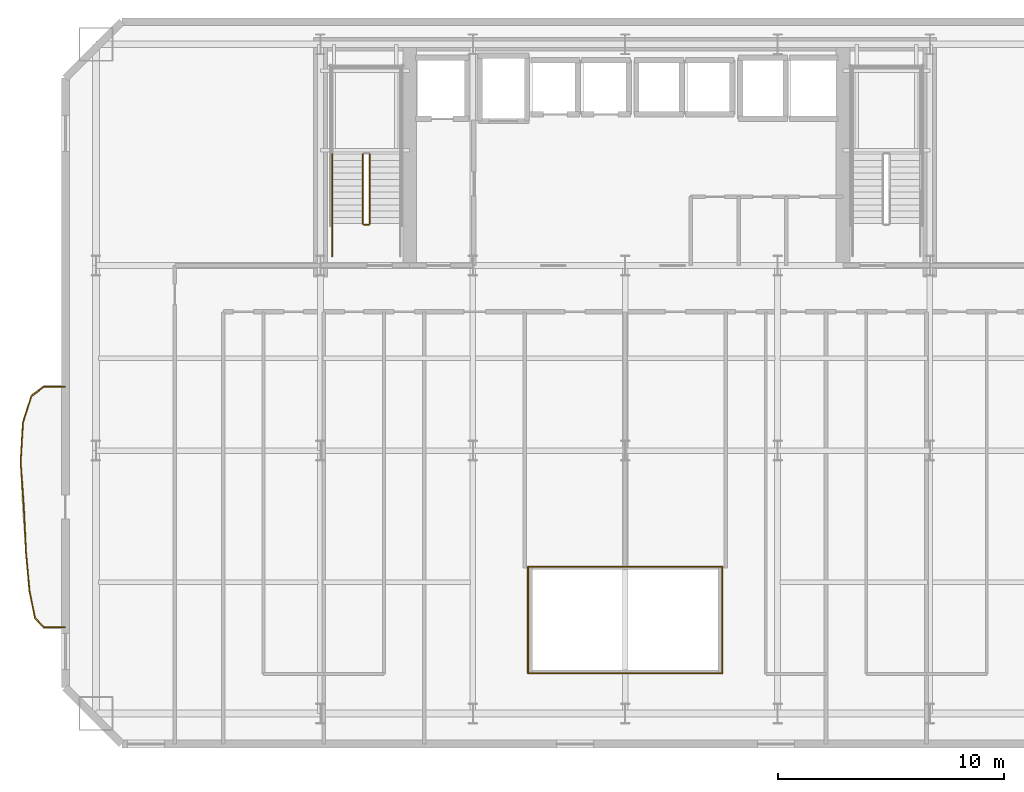
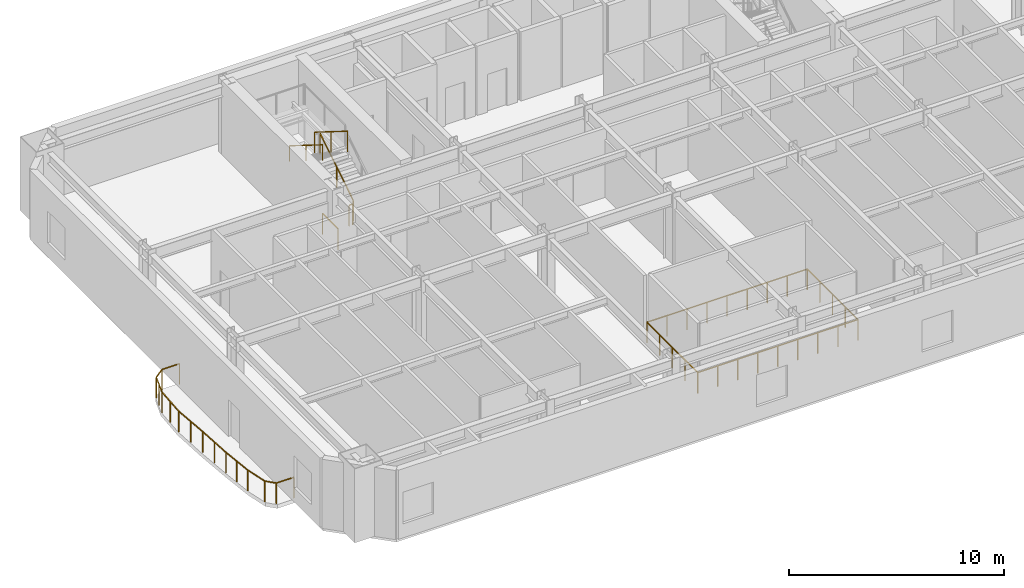
# One storey, part 11 of 15: 19 railings.
"""IFC4 building model written with IfcOpenShell, lengths in metres."""

from ifc_helpers import new_model, si_unit, direction, frame, origin, origin_2d, place, context, subcontext, project, spatial, rectangle, extrude, material, type_object, element, save


model = new_model("IFC4")

# Units and contexts
model_context = context("Model", 3, precision=1e-05, world=origin(), true_north=direction((0.0, 1.0)))
body_context = subcontext(model_context, "Body", "Model", "MODEL_VIEW")
ifc_project = project(units=[si_unit("LENGTHUNIT", "METRE"), si_unit("AREAUNIT", "SQUARE_METRE"), si_unit("VOLUMEUNIT", "CUBIC_METRE"), si_unit("PLANEANGLEUNIT", "RADIAN"), si_unit("MASSUNIT", "GRAM", prefix="KILO")], contexts=[model_context])

# Site, building, storey
site_placement = place(None, origin())
site = spatial("IfcSite", under=ifc_project, at=site_placement, CompositionType="ELEMENT")
building_placement = place(site_placement, origin())
building = spatial("IfcBuilding", under=site, at=building_placement, Name="Haevon Station Towers", CompositionType="ELEMENT")
storey_placement = place(building_placement, frame((0.0, 0.0, 73.5)))
storey = spatial("IfcBuildingStorey", under=building, at=storey_placement, Name="L19", CompositionType="ELEMENT", Elevation=73.5)

# Railings
ifc_material = material(Name="Steel S355", Category="steel")
railing_type_1 = type_object("IfcRailingType", Name="BAL-ATR1200", PredefinedType="BALUSTRADE", material=ifc_material)
railing_1_placement = place(storey_placement, frame((33.19482421875, 20.142333984375, 0.0)))
element("IfcRailing", 1, at=railing_1_placement, inside=storey, type_object=railing_type_1, Name="L19 Atrium Void Balustrade 1", PredefinedType="BALUSTRADE", context=body_context, shape_type="SweptSolid", body=[
    extrude(rectangle(XDim=0.048095703125, YDim=0.048095703125, at=origin_2d()), frame((0.0, 0.0, 1.17578125), z_axis=(1.0, 0.0, 0.0), x_axis=(0.0, 1.0, 0.0)), (0.0, 0.0, 1.0), 8.6103515625),
    extrude(rectangle(XDim=0.0419921875, YDim=0.0419921875, at=origin_2d()), origin(), (0.0, 0.0, 1.0), 1.15185546875),
    extrude(rectangle(XDim=0.0419921875, YDim=0.0419921875, at=origin_2d()), frame((1.076171875, 0.0, 0.0)), (0.0, 0.0, 1.0), 1.15185546875),
    extrude(rectangle(XDim=0.0419921875, YDim=0.0419921875, at=origin_2d()), frame((2.152587890625, 0.0, 0.0)), (0.0, 0.0, 1.0), 1.15185546875),
    extrude(rectangle(XDim=0.0419921875, YDim=0.0419921875, at=origin_2d()), frame((3.22900390625, 0.0, 0.0)), (0.0, 0.0, 1.0), 1.15185546875),
    extrude(rectangle(XDim=0.0419921875, YDim=0.0419921875, at=origin_2d()), frame((4.30517578125, 0.0, 0.0)), (0.0, 0.0, 1.0), 1.15185546875),
    extrude(rectangle(XDim=0.0419921875, YDim=0.0419921875, at=origin_2d()), frame((5.38134765625, 0.0, 0.0)), (0.0, 0.0, 1.0), 1.15185546875),
    extrude(rectangle(XDim=0.0419921875, YDim=0.0419921875, at=origin_2d()), frame((6.457763671875, 0.0, 0.0)), (0.0, 0.0, 1.0), 1.15185546875),
    extrude(rectangle(XDim=0.0419921875, YDim=0.0419921875, at=origin_2d()), frame((7.5341796875, 0.0, 0.0)), (0.0, 0.0, 1.0), 1.15185546875),
    extrude(rectangle(XDim=0.0419921875, YDim=0.0419921875, at=origin_2d()), frame((8.6103515625, 0.0, 0.0)), (0.0, 0.0, 1.0), 1.15185546875),
])
railing_2_placement = place(storey_placement, frame((41.80517578125, 20.142333984375, 0.0)))
element("IfcRailing", 2, at=railing_2_placement, inside=storey, type_object=railing_type_1, Name="L19 Atrium Void Balustrade 2", PredefinedType="BALUSTRADE", context=body_context, shape_type="SweptSolid", body=[
    extrude(rectangle(XDim=0.048095703125, YDim=0.048095703125, at=origin_2d()), frame((0.0, 0.0, 1.17578125), z_axis=(0.0, 1.0, 0.0), x_axis=(-1.0, 0.0, 0.0)), (0.0, 0.0, 1.0), 4.71533203125),
    extrude(rectangle(XDim=0.0419921875, YDim=0.0419921875, at=origin_2d()), origin(), (0.0, 0.0, 1.0), 1.15185546875),
    extrude(rectangle(XDim=0.0419921875, YDim=0.0419921875, at=origin_2d()), frame((0.0, 1.1787109375, 0.0)), (0.0, 0.0, 1.0), 1.15185546875),
    extrude(rectangle(XDim=0.0419921875, YDim=0.0419921875, at=origin_2d()), frame((0.0, 2.357666015625, 0.0)), (0.0, 0.0, 1.0), 1.15185546875),
    extrude(rectangle(XDim=0.0419921875, YDim=0.0419921875, at=origin_2d()), frame((0.0, 3.53662109375, 0.0)), (0.0, 0.0, 1.0), 1.15185546875),
    extrude(rectangle(XDim=0.0419921875, YDim=0.0419921875, at=origin_2d()), frame((0.0, 4.71533203125, 0.0)), (0.0, 0.0, 1.0), 1.15185546875),
])
railing_3_placement = place(storey_placement, frame((41.80517578125, 24.857666015625, 0.0)))
element("IfcRailing", 3, at=railing_3_placement, inside=storey, type_object=railing_type_1, Name="L19 Atrium Void Balustrade 3", PredefinedType="BALUSTRADE", context=body_context, shape_type="SweptSolid", body=[
    extrude(rectangle(XDim=0.048095703125, YDim=0.048095703125, at=origin_2d()), frame((0.0, 0.0, 1.17578125), z_axis=(-1.0, 0.0, 0.0), x_axis=(0.0, -1.0, 0.0)), (0.0, 0.0, 1.0), 8.6103515625),
    extrude(rectangle(XDim=0.0419921875, YDim=0.0419921875, at=origin_2d()), origin(), (0.0, 0.0, 1.0), 1.15185546875),
    extrude(rectangle(XDim=0.0419921875, YDim=0.0419921875, at=origin_2d()), frame((-1.076171875, 0.0, 0.0)), (0.0, 0.0, 1.0), 1.15185546875),
    extrude(rectangle(XDim=0.0419921875, YDim=0.0419921875, at=origin_2d()), frame((-2.152587890625, 0.0, 0.0)), (0.0, 0.0, 1.0), 1.15185546875),
    extrude(rectangle(XDim=0.0419921875, YDim=0.0419921875, at=origin_2d()), frame((-3.22900390625, 0.0, 0.0)), (0.0, 0.0, 1.0), 1.15185546875),
    extrude(rectangle(XDim=0.0419921875, YDim=0.0419921875, at=origin_2d()), frame((-4.30517578125, 0.0, 0.0)), (0.0, 0.0, 1.0), 1.15185546875),
    extrude(rectangle(XDim=0.0419921875, YDim=0.0419921875, at=origin_2d()), frame((-5.38134765625, 0.0, 0.0)), (0.0, 0.0, 1.0), 1.15185546875),
    extrude(rectangle(XDim=0.0419921875, YDim=0.0419921875, at=origin_2d()), frame((-6.457763671875, 0.0, 0.0)), (0.0, 0.0, 1.0), 1.15185546875),
    extrude(rectangle(XDim=0.0419921875, YDim=0.0419921875, at=origin_2d()), frame((-7.5341796875, 0.0, 0.0)), (0.0, 0.0, 1.0), 1.15185546875),
    extrude(rectangle(XDim=0.0419921875, YDim=0.0419921875, at=origin_2d()), frame((-8.6103515625, 0.0, 0.0)), (0.0, 0.0, 1.0), 1.15185546875),
])
railing_4_placement = place(storey_placement, frame((33.19482421875, 24.857666015625, 0.0)))
element("IfcRailing", 4, at=railing_4_placement, inside=storey, type_object=railing_type_1, Name="L19 Atrium Void Balustrade 4", PredefinedType="BALUSTRADE", context=body_context, shape_type="SweptSolid", body=[
    extrude(rectangle(XDim=0.048095703125, YDim=0.048095703125, at=origin_2d()), frame((0.0, 0.0, 1.17578125), z_axis=(0.0, -1.0, 0.0), x_axis=(1.0, 0.0, 0.0)), (0.0, 0.0, 1.0), 4.71533203125),
    extrude(rectangle(XDim=0.0419921875, YDim=0.0419921875, at=origin_2d()), origin(), (0.0, 0.0, 1.0), 1.15185546875),
    extrude(rectangle(XDim=0.0419921875, YDim=0.0419921875, at=origin_2d()), frame((0.0, -1.1787109375, 0.0)), (0.0, 0.0, 1.0), 1.15185546875),
    extrude(rectangle(XDim=0.0419921875, YDim=0.0419921875, at=origin_2d()), frame((0.0, -2.357666015625, 0.0)), (0.0, 0.0, 1.0), 1.15185546875),
    extrude(rectangle(XDim=0.0419921875, YDim=0.0419921875, at=origin_2d()), frame((0.0, -3.53662109375, 0.0)), (0.0, 0.0, 1.0), 1.15185546875),
    extrude(rectangle(XDim=0.0419921875, YDim=0.0419921875, at=origin_2d()), frame((0.0, -4.71533203125, 0.0)), (0.0, 0.0, 1.0), 1.15185546875),
])
railing_type_2 = type_object("IfcRailingType", Name="GRD-EXT1200", PredefinedType="GUARDRAIL", material=ifc_material)
railing_5_placement = place(storey_placement, frame((12.6767578125, 32.822021484375, 0.0)))
element("IfcRailing", 5, at=railing_5_placement, inside=storey, type_object=railing_type_2, Name="L19 Perimeter Guardrail 1", PredefinedType="GUARDRAIL", context=body_context, shape_type="SweptSolid", body=[
    extrude(rectangle(XDim=0.048095703125, YDim=0.048095703125, at=origin_2d()), frame((0.0, 0.0, 1.17578125), z_axis=(-0.999997857851, -0.002069853263, 0.0), x_axis=(0.002069853263, -0.999997857851, 0.0)), (0.0, 0.0, 1.0), 0.943603515625),
    extrude(rectangle(XDim=0.0419921875, YDim=0.0419921875, at=origin_2d()), origin(), (0.0, 0.0, 1.0), 1.15185546875),
    extrude(rectangle(XDim=0.0419921875, YDim=0.0419921875, at=origin_2d()), frame((-0.943603515625, -0.001953125, 0.0)), (0.0, 0.0, 1.0), 1.15185546875),
])
railing_6_placement = place(storey_placement, frame((11.733154296875, 32.820068359375, 0.0)))
element("IfcRailing", 6, at=railing_6_placement, inside=storey, type_object=railing_type_2, Name="L19 Perimeter Guardrail 2", PredefinedType="GUARDRAIL", context=body_context, shape_type="SweptSolid", body=[
    extrude(rectangle(XDim=0.048095703125, YDim=0.048095703125, at=origin_2d()), frame((0.0, 0.0, 1.17578125), z_axis=(-0.798409676693, -0.602114597201, 0.0), x_axis=(0.602114597201, -0.798409676693, 0.0)), (0.0, 0.0, 1.0), 0.682861328125),
    extrude(rectangle(XDim=0.0419921875, YDim=0.0419921875, at=origin_2d()), origin(), (0.0, 0.0, 1.0), 1.15185546875),
    extrude(rectangle(XDim=0.0419921875, YDim=0.0419921875, at=origin_2d()), frame((-0.545166015625, -0.4111328125, 0.0)), (0.0, 0.0, 1.0), 1.15185546875),
])
railing_7_placement = place(storey_placement, frame((11.18798828125, 32.408935546875, 0.0)))
element("IfcRailing", 7, at=railing_7_placement, inside=storey, type_object=railing_type_2, Name="L19 Perimeter Guardrail 3", PredefinedType="GUARDRAIL", context=body_context, shape_type="SweptSolid", body=[
    extrude(rectangle(XDim=0.048095703125, YDim=0.048095703125, at=origin_2d()), frame((0.0, 0.0, 1.17578125), z_axis=(-0.303367872458, -0.952873514146, 0.0), x_axis=(0.952873514146, -0.303367872458, 0.0)), (0.0, 0.0, 1.0), 1.227294921875),
    extrude(rectangle(XDim=0.0419921875, YDim=0.0419921875, at=origin_2d()), origin(), (0.0, 0.0, 1.0), 1.15185546875),
    extrude(rectangle(XDim=0.0419921875, YDim=0.0419921875, at=origin_2d()), frame((-0.18603515625, -0.584716796875, 0.0)), (0.0, 0.0, 1.0), 1.15185546875),
    extrude(rectangle(XDim=0.0419921875, YDim=0.0419921875, at=origin_2d()), frame((-0.372314453125, -1.16943359375, 0.0)), (0.0, 0.0, 1.0), 1.15185546875),
])
railing_8_placement = place(storey_placement, frame((10.815673828125, 31.239501953125, 0.0)))
element("IfcRailing", 8, at=railing_8_placement, inside=storey, type_object=railing_type_2, Name="L19 Perimeter Guardrail 4", PredefinedType="GUARDRAIL", context=body_context, shape_type="SweptSolid", body=[
    extrude(rectangle(XDim=0.048095703125, YDim=0.048095703125, at=origin_2d()), frame((0.0, 0.0, 1.17578125), z_axis=(-0.057716779897, -0.99833299721, 0.0), x_axis=(0.99833299721, -0.057716779897, 0.0)), (0.0, 0.0, 1.0), 1.751220703125),
    extrude(rectangle(XDim=0.0419921875, YDim=0.0419921875, at=origin_2d()), origin(), (0.0, 0.0, 1.0), 1.15185546875),
    extrude(rectangle(XDim=0.0419921875, YDim=0.0419921875, at=origin_2d()), frame((-0.050537109375, -0.8740234375, 0.0)), (0.0, 0.0, 1.0), 1.15185546875),
    extrude(rectangle(XDim=0.0419921875, YDim=0.0419921875, at=origin_2d()), frame((-0.10107421875, -1.748291015625, 0.0)), (0.0, 0.0, 1.0), 1.15185546875),
])
railing_9_placement = place(storey_placement, frame((10.714599609375, 29.4912109375, 0.0)))
element("IfcRailing", 9, at=railing_9_placement, inside=storey, type_object=railing_type_2, Name="L19 Perimeter Guardrail 5", PredefinedType="GUARDRAIL", context=body_context, shape_type="SweptSolid", body=[
    extrude(rectangle(XDim=0.048095703125, YDim=0.048095703125, at=origin_2d()), frame((0.0, 0.0, 1.17578125), z_axis=(0.070082284887, -0.997541213858, 0.0), x_axis=(0.997541213858, 0.070082284887, 0.0)), (0.0, 0.0, 1.0), 1.99609375),
    extrude(rectangle(XDim=0.0419921875, YDim=0.0419921875, at=origin_2d()), origin(), (0.0, 0.0, 1.0), 1.15185546875),
    extrude(rectangle(XDim=0.0419921875, YDim=0.0419921875, at=origin_2d()), frame((0.06982421875, -0.99560546875, 0.0)), (0.0, 0.0, 1.0), 1.15185546875),
    extrude(rectangle(XDim=0.0419921875, YDim=0.0419921875, at=origin_2d()), frame((0.139892578125, -1.9912109375, 0.0)), (0.0, 0.0, 1.0), 1.15185546875),
])
railing_10_placement = place(storey_placement, frame((10.8544921875, 27.5, 0.0)))
element("IfcRailing", 10, at=railing_10_placement, inside=storey, type_object=railing_type_2, Name="L19 Perimeter Guardrail 6", PredefinedType="GUARDRAIL", context=body_context, shape_type="SweptSolid", body=[
    extrude(rectangle(XDim=0.048095703125, YDim=0.048095703125, at=origin_2d()), frame((0.0, 0.0, 1.17578125), z_axis=(0.047454457012, -0.998873402644, 0.0), x_axis=(0.998873402644, 0.047454457012, 0.0)), (0.0, 0.0, 1.0), 1.990966796875),
    extrude(rectangle(XDim=0.0419921875, YDim=0.0419921875, at=origin_2d()), origin(), (0.0, 0.0, 1.0), 1.15185546875),
    extrude(rectangle(XDim=0.0419921875, YDim=0.0419921875, at=origin_2d()), frame((0.04736328125, -0.994384765625, 0.0)), (0.0, 0.0, 1.0), 1.15185546875),
    extrude(rectangle(XDim=0.0419921875, YDim=0.0419921875, at=origin_2d()), frame((0.094482421875, -1.98876953125, 0.0)), (0.0, 0.0, 1.0), 1.15185546875),
])
railing_11_placement = place(storey_placement, frame((10.948974609375, 25.51123046875, 0.0)))
element("IfcRailing", 11, at=railing_11_placement, inside=storey, type_object=railing_type_2, Name="L19 Perimeter Guardrail 7", PredefinedType="GUARDRAIL", context=body_context, shape_type="SweptSolid", body=[
    extrude(rectangle(XDim=0.048095703125, YDim=0.048095703125, at=origin_2d()), frame((0.0, 0.0, 1.17578125), z_axis=(0.090172444535, -0.995926167066, 0.0), x_axis=(0.995926167066, 0.090172444535, 0.0)), (0.0, 0.0, 1.0), 1.757080078125),
    extrude(rectangle(XDim=0.0419921875, YDim=0.0419921875, at=origin_2d()), origin(), (0.0, 0.0, 1.0), 1.15185546875),
    extrude(rectangle(XDim=0.0419921875, YDim=0.0419921875, at=origin_2d()), frame((0.0791015625, -0.875, 0.0)), (0.0, 0.0, 1.0), 1.15185546875),
    extrude(rectangle(XDim=0.0419921875, YDim=0.0419921875, at=origin_2d()), frame((0.158447265625, -1.75, 0.0)), (0.0, 0.0, 1.0), 1.15185546875),
])
railing_12_placement = place(storey_placement, frame((11.107421875, 23.76123046875, 0.0)))
element("IfcRailing", 12, at=railing_12_placement, inside=storey, type_object=railing_type_2, Name="L19 Perimeter Guardrail 8", PredefinedType="GUARDRAIL", context=body_context, shape_type="SweptSolid", body=[
    extrude(rectangle(XDim=0.048095703125, YDim=0.048095703125, at=origin_2d()), frame((0.0, 0.0, 1.17578125), z_axis=(0.201497232752, -0.979489083754, 0.0), x_axis=(0.979489083754, 0.201497232752, 0.0)), (0.0, 0.0, 1.0), 1.194580078125),
    extrude(rectangle(XDim=0.0419921875, YDim=0.0419921875, at=origin_2d()), origin(), (0.0, 0.0, 1.0), 1.15185546875),
    extrude(rectangle(XDim=0.0419921875, YDim=0.0419921875, at=origin_2d()), frame((0.24072265625, -1.170166015625, 0.0)), (0.0, 0.0, 1.0), 1.15185546875),
])
railing_13_placement = place(storey_placement, frame((11.34814453125, 22.591064453125, 0.0)))
element("IfcRailing", 13, at=railing_13_placement, inside=storey, type_object=railing_type_2, Name="L19 Perimeter Guardrail 9", PredefinedType="GUARDRAIL", context=body_context, shape_type="SweptSolid", body=[
    extrude(rectangle(XDim=0.048095703125, YDim=0.048095703125, at=origin_2d()), frame((0.0, 0.0, 1.17578125), z_axis=(0.68353731977, -0.72991556531, 0.0), x_axis=(0.72991556531, 0.68353731977, 0.0)), (0.0, 0.0, 1.0), 0.563232421875),
    extrude(rectangle(XDim=0.0419921875, YDim=0.0419921875, at=origin_2d()), origin(), (0.0, 0.0, 1.0), 1.15185546875),
    extrude(rectangle(XDim=0.0419921875, YDim=0.0419921875, at=origin_2d()), frame((0.385009765625, -0.4111328125, 0.0)), (0.0, 0.0, 1.0), 1.15185546875),
])
railing_14_placement = place(storey_placement, frame((11.733154296875, 22.179931640625, 0.0)))
element("IfcRailing", 14, at=railing_14_placement, inside=storey, type_object=railing_type_2, Name="L19 Perimeter Guardrail 10", PredefinedType="GUARDRAIL", context=body_context, shape_type="SweptSolid", body=[
    extrude(rectangle(XDim=0.048095703125, YDim=0.048095703125, at=origin_2d()), frame((0.0, 0.0, 1.17578125), z_axis=(0.999997857851, -0.002069853263, 0.0), x_axis=(0.002069853263, 0.999997857851, 0.0)), (0.0, 0.0, 1.0), 0.943603515625),
    extrude(rectangle(XDim=0.0419921875, YDim=0.0419921875, at=origin_2d()), origin(), (0.0, 0.0, 1.0), 1.15185546875),
    extrude(rectangle(XDim=0.0419921875, YDim=0.0419921875, at=origin_2d()), frame((0.943603515625, -0.001953125, 0.0)), (0.0, 0.0, 1.0), 1.15185546875),
])
railing_type_3 = type_object("IfcRailingType", Name="GRD-STR1200", PredefinedType="GUARDRAIL", material=ifc_material)
railing_15_placement = place(storey_placement, frame((26.179931640625, 40.050048828125, 0.175048828125)))
element("IfcRailing", 15, at=railing_15_placement, inside=storey, type_object=railing_type_3, Name="L19 ST1 Stair Guard 1", PredefinedType="GUARDRAIL", context=body_context, shape_type="SweptSolid", body=[
    extrude(rectangle(XDim=0.048095703125, YDim=0.048095703125, at=origin_2d()), frame((0.0, 0.0, 1.17578125), z_axis=(0.0, 0.847979421464, 0.530029150871), x_axis=(-1.0, 0.0, 0.0)), (0.0, 0.0, 1.0), 3.632080078125),
    extrude(rectangle(XDim=0.0419921875, YDim=0.0419921875, at=origin_2d()), origin(), (0.0, 0.0, 1.0), 1.15185546875),
    extrude(rectangle(XDim=0.0419921875, YDim=0.0419921875, at=origin_2d()), frame((0.0, 1.5400390625, 0.96240234375)), (0.0, 0.0, 1.0), 1.15185546875),
    extrude(rectangle(XDim=0.0419921875, YDim=0.0419921875, at=origin_2d()), frame((0.0, 3.079833984375, 1.925048828125)), (0.0, 0.0, 1.0), 1.15185546875),
])
railing_16_placement = place(storey_placement, frame((25.8798828125, 43.1298828125, 2.27490234375)))
element("IfcRailing", 16, at=railing_16_placement, inside=storey, type_object=railing_type_3, Name="L19 ST1 Stair Guard 6", PredefinedType="GUARDRAIL", context=body_context, shape_type="SweptSolid", body=[
    extrude(rectangle(XDim=0.048095703125, YDim=0.048095703125, at=origin_2d()), frame((0.0, 0.0, 1.17578125), z_axis=(0.0, -0.847979421464, 0.530029150871), x_axis=(1.0, 0.0, 0.0)), (0.0, 0.0, 1.0), 3.632080078125),
    extrude(rectangle(XDim=0.0419921875, YDim=0.0419921875, at=origin_2d()), origin(), (0.0, 0.0, 1.0), 1.15185546875),
    extrude(rectangle(XDim=0.0419921875, YDim=0.0419921875, at=origin_2d()), frame((0.0, -1.5400390625, 0.96240234375)), (0.0, 0.0, 1.0), 1.15185546875),
    extrude(rectangle(XDim=0.0419921875, YDim=0.0419921875, at=origin_2d()), frame((0.0, -3.079833984375, 1.925048828125)), (0.0, 0.0, 1.0), 1.15185546875),
])
railing_17_placement = place(storey_placement, frame((26.1298828125, 40.0, 0.0)))
element("IfcRailing", 17, at=railing_17_placement, inside=storey, type_object=railing_type_3, Name="L19 ST1 Stair Guard 7", PredefinedType="GUARDRAIL", context=body_context, shape_type="SweptSolid", body=[
    extrude(rectangle(XDim=0.048095703125, YDim=0.048095703125, at=origin_2d()), frame((0.0, 0.0, 1.17578125), z_axis=(-1.0, 0.0, 0.0), x_axis=(0.0, -1.0, 0.0)), (0.0, 0.0, 1.0), 0.199951171875),
    extrude(rectangle(XDim=0.0419921875, YDim=0.0419921875, at=origin_2d()), origin(), (0.0, 0.0, 1.0), 1.15185546875),
    extrude(rectangle(XDim=0.0419921875, YDim=0.0419921875, at=origin_2d()), frame((-0.199951171875, 0.0, 0.0)), (0.0, 0.0, 1.0), 1.15185546875),
])
railing_18_placement = place(storey_placement, frame((24.530029296875, 38.60009765625, 0.0)))
element("IfcRailing", 18, at=railing_18_placement, inside=storey, type_object=railing_type_3, Name="L19 ST1 Stair Guard 9", PredefinedType="GUARDRAIL", context=body_context, shape_type="SweptSolid", body=[
    extrude(rectangle(XDim=0.048095703125, YDim=0.048095703125, at=origin_2d()), frame((0.0, 0.0, 1.17578125), z_axis=(0.0, 1.0, 0.0), x_axis=(-1.0, 0.0, 0.0)), (0.0, 0.0, 1.0), 1.449951171875),
    extrude(rectangle(XDim=0.0419921875, YDim=0.0419921875, at=origin_2d()), origin(), (0.0, 0.0, 1.0), 1.15185546875),
    extrude(rectangle(XDim=0.0419921875, YDim=0.0419921875, at=origin_2d()), frame((0.0, 1.449951171875, 0.0)), (0.0, 0.0, 1.0), 1.15185546875),
])
railing_type_4 = type_object("IfcRailingType", Name="HND-STR900", PredefinedType="HANDRAIL", material=ifc_material)
railing_19_placement = place(storey_placement, frame((24.530029296875, 43.1298828125, 2.27490234375)))
element("IfcRailing", 19, at=railing_19_placement, inside=storey, type_object=railing_type_4, Name="L19 ST1 Stair Handrail 2", PredefinedType="HANDRAIL", context=body_context, shape_type="SweptSolid", body=[
    extrude(rectangle(XDim=0.048095703125, YDim=0.048095703125, at=origin_2d()), frame((0.0, 0.0, 0.8759765625), z_axis=(0.0, -0.847979421464, 0.530029150871), x_axis=(1.0, 0.0, 0.0)), (0.0, 0.0, 1.0), 3.632080078125),
    extrude(rectangle(XDim=0.0419921875, YDim=0.0419921875, at=origin_2d()), origin(), (0.0, 0.0, 1.0), 0.851806640625),
    extrude(rectangle(XDim=0.0419921875, YDim=0.0419921875, at=origin_2d()), frame((0.0, -1.5400390625, 0.96240234375)), (0.0, 0.0, 1.0), 0.851806640625),
    extrude(rectangle(XDim=0.0419921875, YDim=0.0419921875, at=origin_2d()), frame((0.0, -3.079833984375, 1.925048828125)), (0.0, 0.0, 1.0), 0.851806640625),
])

save(model, "model.ifc")
